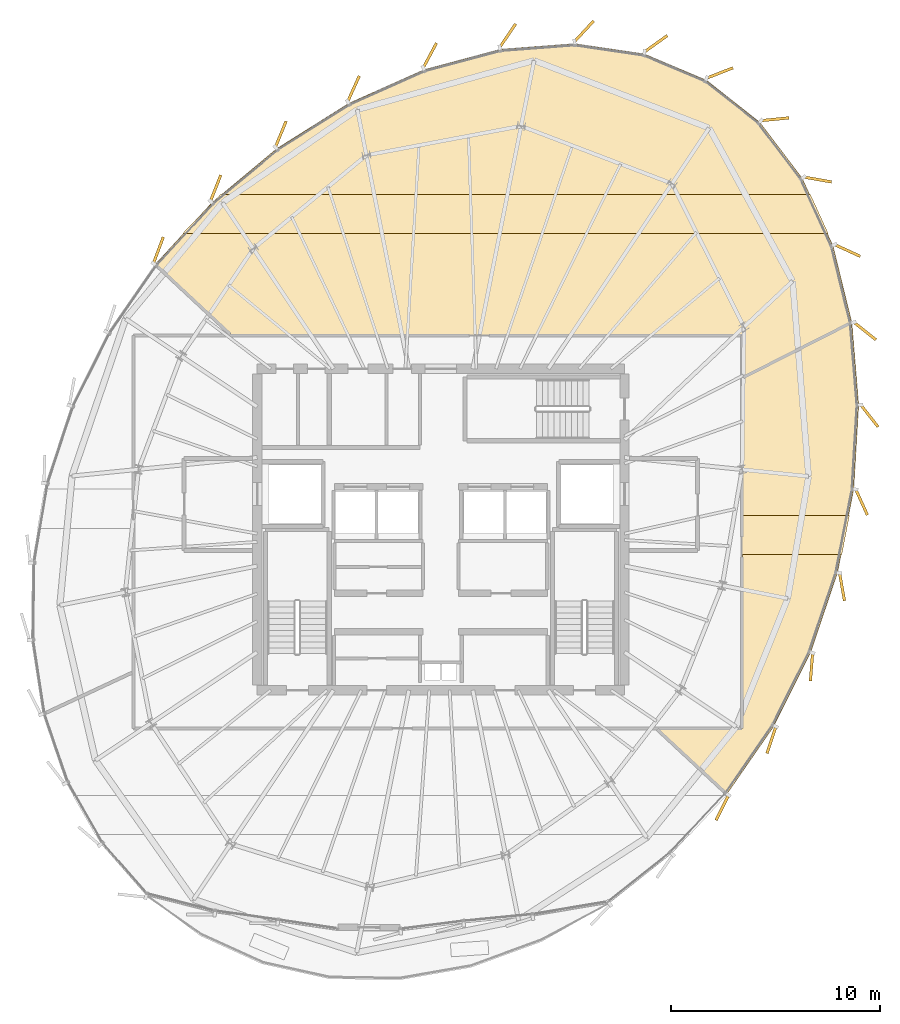
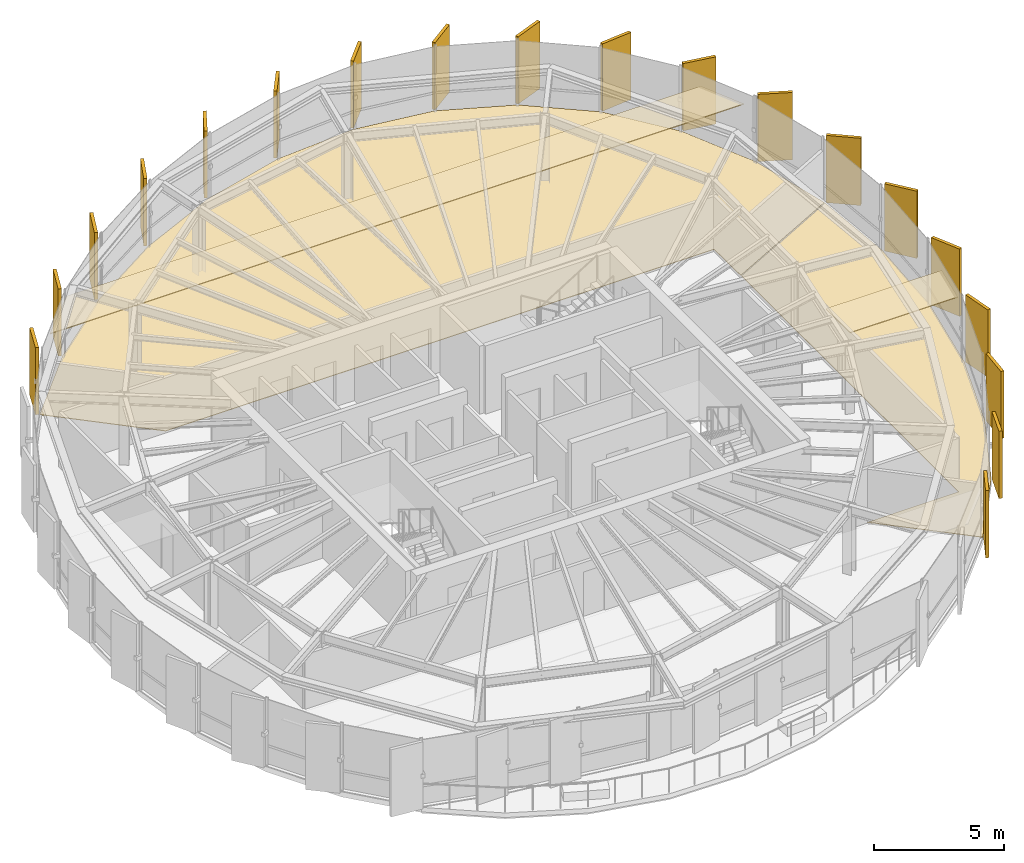
# One storey, part 32 of 32: 23 coverings.
"""IFC4 building model written with IfcOpenShell, lengths in metres."""

from ifc_helpers import new_model, si_unit, direction, frame, origin, origin_2d, place, context, subcontext, project, spatial, polyline, rectangle, outline, extrude, source, transform, mapped, material, layer, layer_set, type_object, element, save


model = new_model("IFC4")

# Units and contexts
model_context = context("Model", 3, precision=1e-05, world=origin(), true_north=direction((0.0, 1.0)))
body_context = subcontext(model_context, "Body", "Model", "MODEL_VIEW")
ifc_project = project(units=[si_unit("LENGTHUNIT", "METRE"), si_unit("AREAUNIT", "SQUARE_METRE"), si_unit("VOLUMEUNIT", "CUBIC_METRE"), si_unit("PLANEANGLEUNIT", "RADIAN"), si_unit("MASSUNIT", "GRAM", prefix="KILO"), si_unit("THERMODYNAMICTEMPERATUREUNIT", "KELVIN")], contexts=[model_context])

# Site, building, storey
site_placement = place(None, origin())
site = spatial("IfcSite", under=ifc_project, at=site_placement, CompositionType="ELEMENT")
building_placement = place(site_placement, origin())
building = spatial("IfcBuilding", under=site, at=building_placement, Name="Kethvar Cultural Tower", CompositionType="ELEMENT")
storey_placement = place(building_placement, frame((0.0, 0.0, 273.25)))
storey = spatial("IfcBuildingStorey", under=building, at=storey_placement, Name="L72", CompositionType="ELEMENT", Elevation=273.25)

# Coverings
ifc_material_1 = material(Name="Acoustic Mineral Fibre Ceiling")
ifc_layer_1 = layer(ifc_material_1, 0.0400390625, Name="Acoustic Mineral Fibre Ceiling")
ifc_layer_set_1 = layer_set([ifc_layer_1], Name="Acoustic Mineral Fibre Ceiling (40 mm)")
covering_type_1 = type_object("IfcCoveringType", Name="CV-ACOUSTIC-CEIL", PredefinedType="CEILING", material=ifc_layer_set_1)
covering_1_placement = place(storey_placement, frame((0.0, 0.0, 2.449951171875)))
element("IfcCovering", 1, at=covering_1_placement, inside=storey, type_object=covering_type_1, Name="L72 Room 02 Acoustic Ceiling Panel", PredefinedType="CEILING", context=body_context, shape_type="SweptSolid", body=[
    extrude(outline(polyline([(66.012451171875, 26.58984375), (61.2060546875, 26.58984375), (61.2060546875, 28.459716796875), (66.37548828125, 28.459716796875), (66.012451171875, 26.58984375)])), origin(), (0.0, 0.0, 1.0), 0.0400390625),
])
covering_2_placement = place(storey_placement, frame((0.0, 0.0, 2.449951171875)))
element("IfcCovering", 2, at=covering_2_placement, inside=storey, type_object=covering_type_1, Name="L72 Room 03 Acoustic Ceiling Panel", PredefinedType="CEILING", context=body_context, shape_type="SweptSolid", body=[
    extrude(outline(polyline([(65.365478515625, 41.971923828125), (34.412353515625, 41.971923828125), (36.230224609375, 43.841796875), (64.51416015625, 43.841796875), (65.365478515625, 41.971923828125)])), origin(), (0.0, 0.0, 1.0), 0.0400390625),
])
ifc_material_2 = material(Name="Architectural Oak Timber", Category="wood")
ifc_layer_2 = layer(ifc_material_2, 0.02490234375, Name="Architectural Oak Timber", Category="wood")
ifc_layer_set_2 = layer_set([ifc_layer_2], Name="Architectural Oak Timber (25 mm)")
covering_type_2 = type_object("IfcCoveringType", Name="CV-OAK-FLOOR", PredefinedType="FLOORING", material=ifc_layer_set_2)
covering_3_placement = place(storey_placement, origin())
element("IfcCovering", 3, at=covering_3_placement, inside=storey, type_object=covering_type_2, Name="L72 Room 02 Floor Finish", PredefinedType="FLOORING", context=body_context, shape_type="SweptSolid", body=[
    extrude(outline(polyline([(66.818115234375, 33.76953125), (66.5810546875, 29.728515625), (65.805908203125, 25.73486328125), (64.51953125, 21.9169921875), (62.747802734375, 18.368408203125), (60.519287109375, 15.150146484375), (57.165771484375, 18.2490234375), (61.24560546875, 18.26513671875), (61.24609375, 35.04052734375), (66.4951171875, 37.679443359375), (66.818115234375, 33.76953125)])), origin(), (0.0, 0.0, 1.0), 0.02490234375),
])
covering_4_placement = place(storey_placement, origin())
element("IfcCovering", 4, at=covering_4_placement, inside=storey, type_object=covering_type_2, Name="L72 Room 03 Floor Finish", PredefinedType="FLOORING", context=body_context, shape_type="SweptSolid", body=[
    extrude(outline(polyline([(64.11181640625, 44.62939453125), (65.5908203125, 41.38037109375), (66.489501953125, 37.721435546875), (61.24609375, 35.085205078125), (61.22802734375, 37.119873046875), (36.77490234375, 37.1201171875), (33.120849609375, 40.507080078125), (35.834228515625, 43.460205078125), (38.960205078125, 46.0634765625), (42.387451171875, 48.2177734375), (45.994873046875, 49.830078125), (49.64794921875, 50.808837890625), (53.20751953125, 51.078125), (56.540771484375, 50.587646484375), (59.52880859375, 49.323486328125), (62.076416015625, 47.313720703125), (64.11181640625, 44.62939453125)])), origin(), (0.0, 0.0, 1.0), 0.02490234375),
])
ifc_material_3 = material(Name="Extruded Architectural Terracotta", Category="masonry")
ifc_layer_3 = layer(ifc_material_3, 0.135009765625, Name="Extruded Architectural Terracotta", Category="masonry")
ifc_layer_set_3 = layer_set([ifc_layer_3], Name="Extruded Architectural Terracotta (135 mm)")
covering_type_3 = type_object("IfcCoveringType", Name="Terracotta Facade Fin FIN-03", PredefinedType="CLADDING", material=ifc_layer_set_3)
shared_shape = source(origin(), body_context, "Body", "SweptSolid", [
    extrude(rectangle(XDim=1.35009765625, YDim=0.135009765625, at=origin_2d()), origin(), (0.0, 0.0, 1.0), 3.169921875),
])
for number, where, z_axis, x_axis, name in (
    (5, (60.166259765625, 49.673828125, 0.02001953125), (0.0, 0.0, 1.0), (0.931564372227, 0.363576429927, 0.0), "L72 Vertical Terracotta Fin 1.1"),
    (6, (57.10693359375, 51.078369140625, 0.02001953125), (0.0, 0.0, 1.0), (0.813811351416, 0.581129145979, 0.0), "L72 Vertical Terracotta Fin 1.2"),
    (7, (53.66162109375, 51.672607421875, 0.02001953125), (0.0, 0.0, 1.0), (0.6803372171, 0.732899222969, 0.0), "L72 Vertical Terracotta Fin 1.3"),
    (8, (50.0029296875, 51.46435546875, 0.02001953125), (0.0, 0.0, 1.0), (0.561650242447, 0.827374767055, 0.0), "L72 Vertical Terracotta Fin 1.4"),
    (9, (46.274169921875, 50.51708984375, 0.02001953125), (0.0, 0.0, 1.0), (0.471935383883, 0.881633139939, 0.0), "L72 Vertical Terracotta Fin 1.5"),
    (10, (42.614501953125, 48.91796875, 0.02001953125), (0.0, 0.0, 1.0), (0.413263367815, 0.910611546611, 0.0), "L72 Vertical Terracotta Fin 1.6"),
    (11, (39.127685546875, 46.741943359375, 0.02001953125), (0.0, 0.0, 1.0), (0.38203834957, 0.924146470781, 0.0), "L72 Vertical Terracotta Fin 2.1"),
    (12, (36.008056640625, 44.156982421875, 0.02001953125), (0.0, 0.0, 1.0), (0.365364233984, 0.930864639207, 0.0), "L72 Vertical Terracotta Fin 2.2"),
    (13, (33.263916015625, 41.18359375, 0.02001953125), (0.0, 0.0, 1.0), (0.35118806988, 0.936304939415, 0.0), "L72 Vertical Terracotta Fin 2.3"),
    (14, (60.28515625, 14.47119140625, 0.02001953125), (0.0, 0.0, 1.0), (-0.449318998616, -0.893371388328, 0.0), "L72 Vertical Terracotta Fin 5.6"),
    (15, (62.638427734375, 17.71435546875, 0.02001953125), (0.0, 0.0, 1.0), (-0.317470165273, -0.948268260653, 0.0), "L72 Vertical Terracotta Fin 6.1"),
    (16, (64.560302734375, 21.2109375, 0.02001953125), (0.0, 0.0, 1.0), (-0.079155056145, -0.996862316013, 0.0), "L72 Vertical Terracotta Fin 6.2"),
    (17, (66.0224609375, 25.050048828125, 0.02001953125), (0.0, 0.0, 1.0), (0.17605399618, -0.984380510996, 0.0), "L72 Vertical Terracotta Fin 6.3"),
    (18, (66.960205078125, 29.106689453125, 0.02001953125), (0.0, 0.0, 1.0), (0.413581206025, -0.910467235008, 0.0), "L72 Vertical Terracotta Fin 6.4"),
    (19, (67.334716796875, 33.245361328125, 0.02001953125), (0.0, 0.0, 1.0), (0.617447828754, -0.786611834876, 0.0), "L72 Vertical Terracotta Fin 6.5"),
    (20, (67.118896484375, 37.309814453125, 0.02001953125), (0.0, 0.0, 1.0), (0.783042563302, -0.621968121415, 0.0), "L72 Vertical Terracotta Fin 6.6"),
    (21, (66.281005859375, 41.170654296875, 0.02001953125), (0.0, 0.0, 1.0), (0.908581095252, -0.417708502848, 0.0), "L72 Vertical Terracotta Fin 7.1"),
    (22, (64.857421875, 44.5703125, 0.02001953125), (0.0, 0.0, 1.0), (0.984716696048, -0.174163797974, 0.0), "L72 Vertical Terracotta Fin 7.2"),
    (23, (62.81201171875, 47.456787109375, 0.02001953125), (0.0, 0.0, 1.0), (0.995176169274, 0.098103986207, 0.0), "L72 Vertical Terracotta Fin 7.3"),
):
    element("IfcCovering", number, at=place(storey_placement, frame(where, z_axis=z_axis, x_axis=x_axis)), inside=storey, type_object=covering_type_3, Name=name, PredefinedType="CLADDING", context=body_context, shape_type="MappedRepresentation", body=[
        mapped(shared_shape, transform((0.0, 0.0, 0.0), scale=1.0)),
    ])

save(model, "model.ifc")
